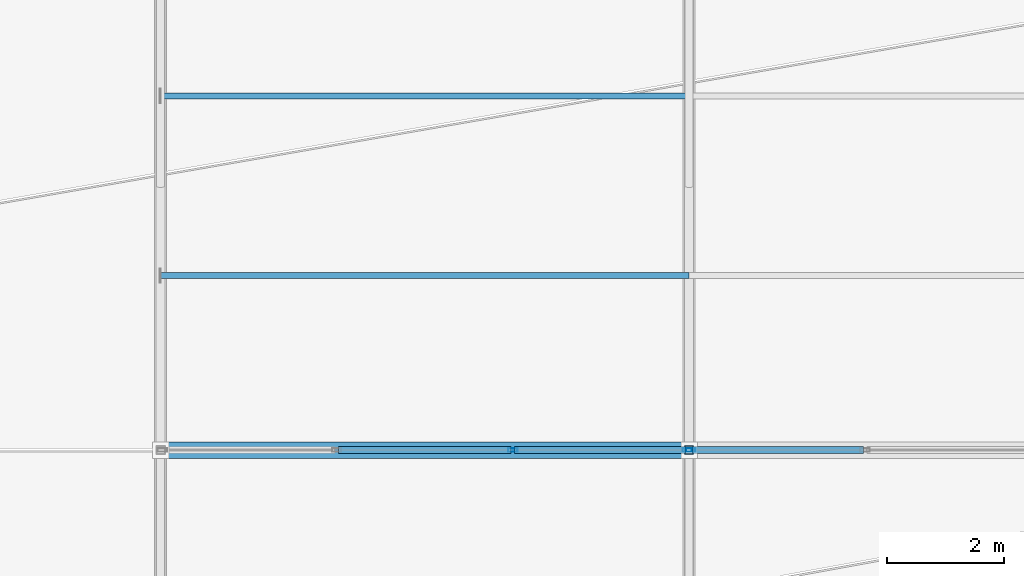
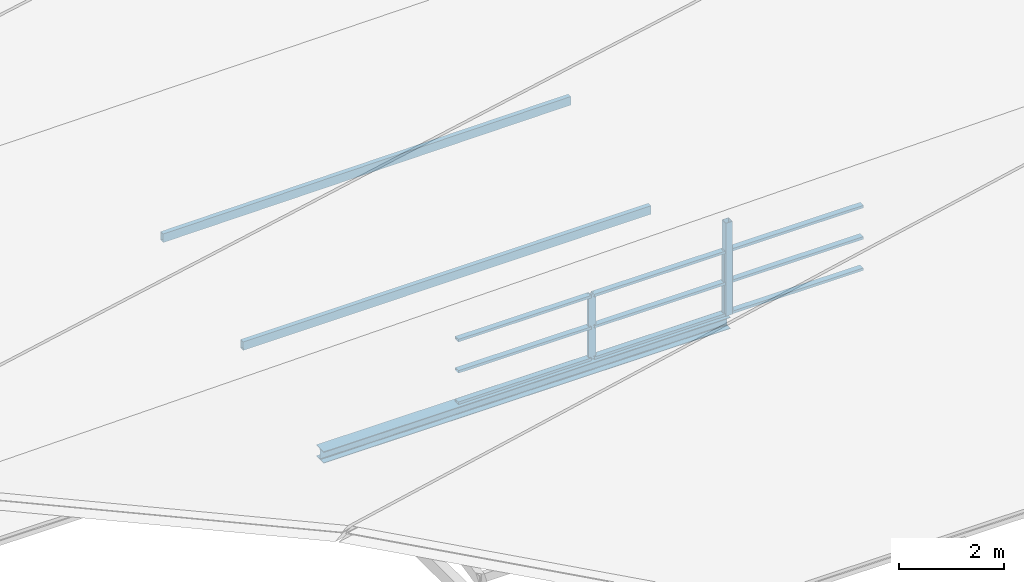
# One storey, part 29 of 103: 15 members, 1 beam, 2 elements without a shape of their own.
"""IFC4 building model written with IfcOpenShell, lengths in metres."""

from ifc_helpers import new_model, si_unit, direction, frame, origin, origin_2d, place, context, subcontext, project, spatial, hollow_rectangle, i_section, extrude, material, layer, layer_set, material_profile, profile_set, type_object, element, aggregate, save


model = new_model("IFC4")

# Units and contexts
model_context = context("Model", 3, precision=1e-05, world=origin(), true_north=direction((0.0, 1.0)))
body_context = subcontext(model_context, "Body", "Model", "MODEL_VIEW")
ifc_project = project(units=[si_unit("LENGTHUNIT", "METRE"), si_unit("AREAUNIT", "SQUARE_METRE"), si_unit("VOLUMEUNIT", "CUBIC_METRE"), si_unit("PLANEANGLEUNIT", "RADIAN"), si_unit("MASSUNIT", "GRAM", prefix="KILO")], contexts=[model_context])

# Site, building, storey
site_placement = place(None, origin())
site = spatial("IfcSite", under=ifc_project, at=site_placement, CompositionType="ELEMENT")
building_placement = place(site_placement, origin())
building = spatial("IfcBuilding", under=site, at=building_placement, Name="Deido Ridge Mobility Hub", CompositionType="ELEMENT")
storey_placement = place(building_placement, frame((0.0, 0.0, 12.60009765625)))
storey = spatial("IfcBuildingStorey", under=building, at=storey_placement, Name="L03", CompositionType="ELEMENT", Elevation=12.60009765625)

# Curtain wall, members
ifc_material_1 = material(Name="Anodised aluminium EN AW-6063 T6", Category="aluminium")
ifc_layer = layer(ifc_material_1, 0.14404296875, Name="Anodised aluminium EN AW-6063 T6")
ifc_layer_set = layer_set([ifc_layer], Name="Anodised aluminium EN AW-6063 T6")
curtain_wall_type = type_object("IfcCurtainWallType", Name="CW-GS-2", PredefinedType="USERDEFINED", material=ifc_layer_set)
curtain_wall_1_placement = place(storey_placement, origin())
curtain_wall_1 = element("IfcCurtainWall", 1, at=curtain_wall_1_placement, inside=storey, type_object=curtain_wall_type, Name="Unitised curtain wall GS2", ObjectType="GLAZED SCREEN", PredefinedType="USERDEFINED")
ifc_material_profile_1 = material_profile(ifc_material_1, hollow_rectangle(XDim=0.06005859375, YDim=0.159912109375, WallThickness=0.00390625, at=origin_2d()), Name="RHS 60x160x4")
ifc_profile_set_1 = profile_set([ifc_material_profile_1], Name="Anodised aluminium EN AW-6063 T6")
member_type_1 = type_object("IfcMemberType", Name="MEM-MUL-60X160", PredefinedType="MULLION", material=ifc_profile_set_1)
member_1_placement = place(storey_placement, frame((33.0, 63.0, 0.0), z_axis=(0.0, 0.0, 1.0), x_axis=(0.0, 1.0, 0.0)))
member_1 = element("IfcMember", 2, at=member_1_placement, type_object=member_type_1, Name="GS2 mullion 3", PredefinedType="MULLION", context=body_context, shape_type="SweptSolid", body=[
    extrude(hollow_rectangle(XDim=0.06005859375, YDim=0.159912109375, WallThickness=0.00390625, at=origin_2d()), origin(), (0.0, 0.0, 1.0), 1.52001953125),
])
member_2_placement = place(storey_placement, frame((35.969970703125, 63.0, 0.0), z_axis=(0.0, 0.0, 1.0), x_axis=(0.0, 1.0, 0.0)))
member_2 = element("IfcMember", 3, at=member_2_placement, type_object=member_type_1, Name="GS2 mullion 4", PredefinedType="MULLION", context=body_context, shape_type="SweptSolid", body=[
    extrude(hollow_rectangle(XDim=0.06005859375, YDim=0.159912109375, WallThickness=0.00390625, at=origin_2d()), origin(), (0.0, 0.0, 1.0), 1.52001953125),
])

# Curtain wall, member
curtain_wall_2_placement = place(storey_placement, origin())
curtain_wall_2 = element("IfcCurtainWall", 4, at=curtain_wall_2_placement, inside=storey, type_object=curtain_wall_type, Name="Unitised curtain wall GS2", ObjectType="GLAZED SCREEN", PredefinedType="USERDEFINED")
member_3_placement = place(storey_placement, frame((36.030029296875, 63.0, 0.0), z_axis=(0.0, 0.0, 1.0), x_axis=(0.0, 1.0, 0.0)))
member_3 = element("IfcMember", 5, at=member_3_placement, type_object=member_type_1, Name="GS2 mullion 1", PredefinedType="MULLION", context=body_context, shape_type="SweptSolid", body=[
    extrude(hollow_rectangle(XDim=0.06005859375, YDim=0.159912109375, WallThickness=0.00390625, at=origin_2d()), origin(), (0.0, 0.0, 1.0), 1.52001953125),
])

# Members
ifc_material_2 = material(Name="Steel S355J2H EN 10210-1", Category="steel")
ifc_material_profile_2 = material_profile(ifc_material_2, hollow_rectangle(XDim=0.14990234375, YDim=0.14990234375, WallThickness=0.008056640625, at=origin_2d()), Name="SHS 150x150x8")
ifc_profile_set_2 = profile_set([ifc_material_profile_2], Name="Steel S355J2H EN 10210-1")
member_type_2 = type_object("IfcMemberType", Name="MEM-PST-SHS150", PredefinedType="POST", material=ifc_profile_set_2)
member_4_placement = place(storey_placement, frame((36.0, 63.0, 0.0), z_axis=(0.0, 0.0, 1.0), x_axis=(1.0, 0.0, 0.0)))
element("IfcMember", 6, at=member_4_placement, inside=storey, type_object=member_type_2, Name="Sawtooth clerestory post PS1", PredefinedType="POST", context=body_context, shape_type="SweptSolid", body=[
    extrude(hollow_rectangle(XDim=0.14990234375, YDim=0.14990234375, WallThickness=0.008056640625, at=origin_2d()), origin(), (0.0, 0.0, 1.0), 2.169921875),
])
ifc_material_profile_3 = material_profile(ifc_material_2, hollow_rectangle(XDim=0.10009765625, YDim=0.199951171875, WallThickness=0.008056640625, at=origin_2d()), Name="RHS 200x100x8")
ifc_profile_set_3 = profile_set([ifc_material_profile_3], Name="Steel S355J2H EN 10210-1")
member_type_3 = type_object("IfcMemberType", Name="MEM-PUR-RHS200", PredefinedType="PURLIN", material=ifc_profile_set_3)
member_5_placement = place(storey_placement, frame((27.0, 65.969970703125, 0.61328125), z_axis=(0.999994523776, 0.0, 0.003309443682), x_axis=(0.0, 1.0, 0.0)))
element("IfcMember", 7, at=member_5_placement, inside=storey, type_object=member_type_3, Name="Sawtooth roof purlin PR1", PredefinedType="PURLIN", context=body_context, shape_type="SweptSolid", body=[
    extrude(hollow_rectangle(XDim=0.10009765625, YDim=0.199951171875, WallThickness=0.008056640625, at=origin_2d()), origin(), (0.0, 0.0, 1.0), 9.0),
])
member_6_placement = place(storey_placement, frame((27.0, 69.030029296875, 1.2763671875), z_axis=(0.99997755372, 0.0, 0.006700153423), x_axis=(0.0, 1.0, 0.0)))
element("IfcMember", 8, at=member_6_placement, inside=storey, type_object=member_type_3, Name="Sawtooth roof purlin PR1", PredefinedType="PURLIN", context=body_context, shape_type="SweptSolid", body=[
    extrude(hollow_rectangle(XDim=0.10009765625, YDim=0.199951171875, WallThickness=0.008056640625, at=origin_2d()), origin(), (0.0, 0.0, 1.0), 9.000244140625),
])

# Member
ifc_material_profile_4 = material_profile(ifc_material_1, hollow_rectangle(XDim=0.125, YDim=0.06005859375, WallThickness=0.00390625, at=origin_2d()), Name="RHS 125x60x4")
ifc_profile_set_4 = profile_set([ifc_material_profile_4], Name="Anodised aluminium EN AW-6063 T6")
member_type_4 = type_object("IfcMemberType", Name="MEM-TRN-125X60", PredefinedType="USERDEFINED", material=ifc_profile_set_4)
member_7_placement = place(storey_placement, frame((30.030029296875, 63.0, 0.02978515625), z_axis=(1.0, 0.0, 0.0), x_axis=(0.0, 1.0, 0.0)))
member_7 = element("IfcMember", 9, at=member_7_placement, type_object=member_type_4, Name="GS2 transom 2.1", ObjectType="TRANSOM", PredefinedType="USERDEFINED", context=body_context, shape_type="SweptSolid", body=[
    extrude(hollow_rectangle(XDim=0.125, YDim=0.06005859375, WallThickness=0.00390625, at=origin_2d()), origin(), (0.0, 0.0, 1.0), 2.93994140625),
])

member_8_placement = place(storey_placement, frame((30.030029296875, 63.0, 0.760009765625), z_axis=(1.0, 0.0, 0.0), x_axis=(0.0, 1.0, 0.0)))
member_8 = element("IfcMember", 10, at=member_8_placement, type_object=member_type_4, Name="GS2 transom 2.2", ObjectType="TRANSOM", PredefinedType="USERDEFINED", context=body_context, shape_type="SweptSolid", body=[
    extrude(hollow_rectangle(XDim=0.125, YDim=0.06005859375, WallThickness=0.00390625, at=origin_2d()), origin(), (0.0, 0.0, 1.0), 2.93994140625),
])

member_9_placement = place(storey_placement, frame((30.030029296875, 63.0, 1.489990234375), z_axis=(1.0, 0.0, 0.0), x_axis=(0.0, 1.0, 0.0)))
member_9 = element("IfcMember", 11, at=member_9_placement, type_object=member_type_4, Name="GS2 transom 2.3", ObjectType="TRANSOM", PredefinedType="USERDEFINED", context=body_context, shape_type="SweptSolid", body=[
    extrude(hollow_rectangle(XDim=0.125, YDim=0.06005859375, WallThickness=0.00390625, at=origin_2d()), origin(), (0.0, 0.0, 1.0), 2.93994140625),
])

member_10_placement = place(storey_placement, frame((33.030029296875, 63.0, 0.02978515625), z_axis=(1.0, 0.0, 0.0), x_axis=(0.0, 1.0, 0.0)))
member_10 = element("IfcMember", 12, at=member_10_placement, type_object=member_type_4, Name="GS2 transom 3.1", ObjectType="TRANSOM", PredefinedType="USERDEFINED", context=body_context, shape_type="SweptSolid", body=[
    extrude(hollow_rectangle(XDim=0.125, YDim=0.06005859375, WallThickness=0.00390625, at=origin_2d()), origin(), (0.0, 0.0, 1.0), 2.909912109375),
])

member_11_placement = place(storey_placement, frame((33.030029296875, 63.0, 0.760009765625), z_axis=(1.0, 0.0, 0.0), x_axis=(0.0, 1.0, 0.0)))
member_11 = element("IfcMember", 13, at=member_11_placement, type_object=member_type_4, Name="GS2 transom 3.2", ObjectType="TRANSOM", PredefinedType="USERDEFINED", context=body_context, shape_type="SweptSolid", body=[
    extrude(hollow_rectangle(XDim=0.125, YDim=0.06005859375, WallThickness=0.00390625, at=origin_2d()), origin(), (0.0, 0.0, 1.0), 2.909912109375),
])

member_12_placement = place(storey_placement, frame((33.030029296875, 63.0, 1.489990234375), z_axis=(1.0, 0.0, 0.0), x_axis=(0.0, 1.0, 0.0)))
member_12 = element("IfcMember", 14, at=member_12_placement, type_object=member_type_4, Name="GS2 transom 3.3", ObjectType="TRANSOM", PredefinedType="USERDEFINED", context=body_context, shape_type="SweptSolid", body=[
    extrude(hollow_rectangle(XDim=0.125, YDim=0.06005859375, WallThickness=0.00390625, at=origin_2d()), origin(), (0.0, 0.0, 1.0), 2.909912109375),
])

aggregate(curtain_wall_1, [member_1, member_2, member_7, member_8, member_9, member_10, member_11, member_12])

member_13_placement = place(storey_placement, frame((36.06005859375, 63.0, 0.02978515625), z_axis=(1.0, 0.0, 0.0), x_axis=(0.0, 1.0, 0.0)))
member_13 = element("IfcMember", 15, at=member_13_placement, type_object=member_type_4, Name="GS2 transom 1.1", ObjectType="TRANSOM", PredefinedType="USERDEFINED", context=body_context, shape_type="SweptSolid", body=[
    extrude(hollow_rectangle(XDim=0.125, YDim=0.06005859375, WallThickness=0.00390625, at=origin_2d()), origin(), (0.0, 0.0, 1.0), 2.909912109375),
])

member_14_placement = place(storey_placement, frame((36.06005859375, 63.0, 0.760009765625), z_axis=(1.0, 0.0, 0.0), x_axis=(0.0, 1.0, 0.0)))
member_14 = element("IfcMember", 16, at=member_14_placement, type_object=member_type_4, Name="GS2 transom 1.2", ObjectType="TRANSOM", PredefinedType="USERDEFINED", context=body_context, shape_type="SweptSolid", body=[
    extrude(hollow_rectangle(XDim=0.125, YDim=0.06005859375, WallThickness=0.00390625, at=origin_2d()), origin(), (0.0, 0.0, 1.0), 2.909912109375),
])

member_15_placement = place(storey_placement, frame((36.06005859375, 63.0, 1.489990234375), z_axis=(1.0, 0.0, 0.0), x_axis=(0.0, 1.0, 0.0)))
member_15 = element("IfcMember", 17, at=member_15_placement, type_object=member_type_4, Name="GS2 transom 1.3", ObjectType="TRANSOM", PredefinedType="USERDEFINED", context=body_context, shape_type="SweptSolid", body=[
    extrude(hollow_rectangle(XDim=0.125, YDim=0.06005859375, WallThickness=0.00390625, at=origin_2d()), origin(), (0.0, 0.0, 1.0), 2.909912109375),
])

aggregate(curtain_wall_2, [member_3, member_13, member_14, member_15])

# Beam
ifc_material_3 = material(Name="Steel S355J2 EN 10025-2", Category="steel")
ifc_material_profile_5 = material_profile(ifc_material_3, i_section(OverallWidth=0.280029296875, OverallDepth=0.27001953125, WebThickness=0.008056640625, FlangeThickness=0.012939453125, FilletRadius=0.02392578125, at=origin_2d()), Name="HEA 280")
ifc_profile_set_5 = profile_set([ifc_material_profile_5], Name="Steel S355J2 EN 10025-2")
beam_type = type_object("IfcBeamType", Name="SPD-HEA280", PredefinedType="SPANDREL", material=ifc_profile_set_5)
beam_placement = place(storey_placement, frame((27.007080078125, 63.0, -0.135009765625), z_axis=(1.0, 0.0, 0.0), x_axis=(0.0, 1.0, 0.0)))
element("IfcBeam", 18, at=beam_placement, inside=storey, type_object=beam_type, Name="Sawtooth eave beam SP2", PredefinedType="SPANDREL", context=body_context, shape_type="SweptSolid", body=[
    extrude(i_section(OverallWidth=0.280029296875, OverallDepth=0.27001953125, WebThickness=0.008056640625, FlangeThickness=0.012939453125, FilletRadius=0.02392578125, at=origin_2d()), origin(), (0.0, 0.0, 1.0), 8.98583984375),
])

save(model, "model.ifc")
